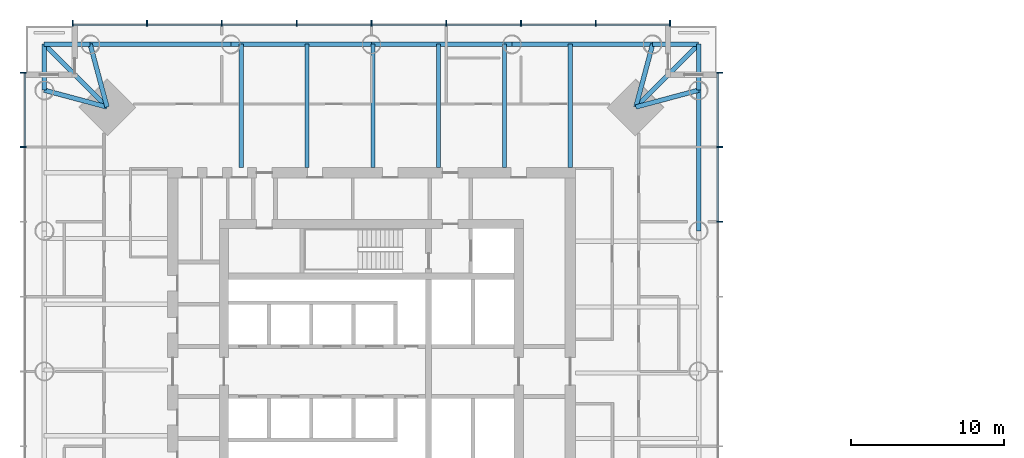
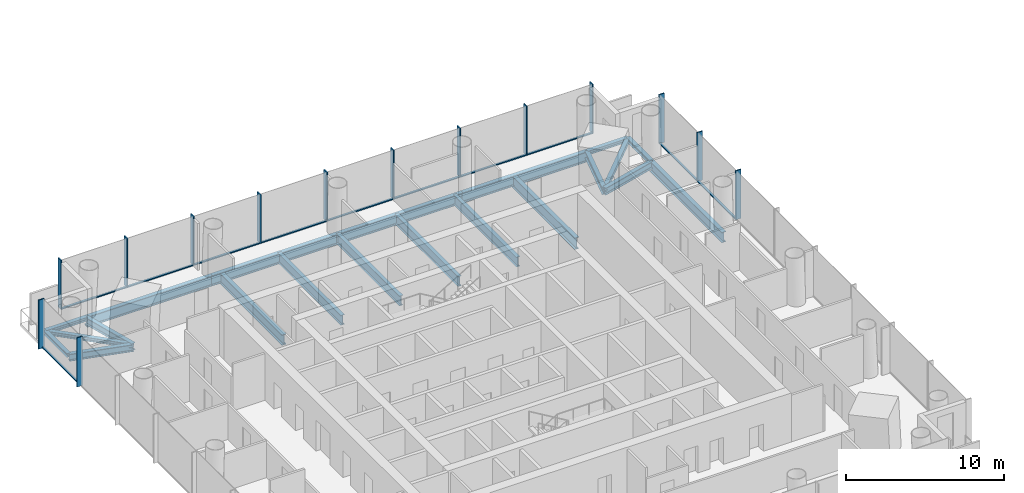
# One storey, part 3 of 18: 25 members, 21 beams, 3 elements without a shape of their own.
"""IFC4 building model written with IfcOpenShell, lengths in metres."""

from ifc_helpers import new_model, si_unit, direction, frame, origin, origin_2d, place, context, subcontext, project, spatial, rectangle, i_section, extrude, material, material_profile, profile_set, type_object, element, aggregate, save


model = new_model("IFC4")

# Units and contexts
model_context = context("Model", 3, precision=1e-05, world=origin(), true_north=direction((0.0, 1.0)))
body_context = subcontext(model_context, "Body", "Model", "MODEL_VIEW")
ifc_project = project(units=[si_unit("LENGTHUNIT", "METRE"), si_unit("AREAUNIT", "SQUARE_METRE"), si_unit("VOLUMEUNIT", "CUBIC_METRE"), si_unit("PLANEANGLEUNIT", "RADIAN"), si_unit("MASSUNIT", "GRAM", prefix="KILO")], contexts=[model_context])

# Site, building, storey
site_placement = place(None, origin())
site = spatial("IfcSite", under=ifc_project, at=site_placement, CompositionType="ELEMENT")
building_placement = place(site_placement, origin())
building = spatial("IfcBuilding", under=site, at=building_placement, Name="Ostroluk Exchange", CompositionType="ELEMENT")
storey_placement = place(building_placement, frame((0.0, 0.0, 104.60009765625)))
storey = spatial("IfcBuildingStorey", under=building, at=storey_placement, Name="L26", CompositionType="ELEMENT", Elevation=104.60009765625)

# Beams
ifc_material_1 = material(Name="Steel S355", Category="steel")
ifc_material_profile_1 = material_profile(ifc_material_1, i_section(OverallWidth=0.300048828125, OverallDepth=0.300048828125, WebThickness=0.010986328125, FlangeThickness=0.01904296875, FilletRadius=0.027099609375, at=origin_2d()), Name="HEB 300")
ifc_profile_set_1 = profile_set([ifc_material_profile_1], Name="Steel S355")
beam_type_1 = type_object("IfcBeamType", Name="Balcony beam HEB 300", PredefinedType="BEAM", material=ifc_profile_set_1)
for number, where, z_axis, x_axis, name in (
    (1, (66.32861328125, 64.32861328125, -0.330078125), (0.0, 1.0, 0.0), (-1.0, 0.0, 0.0), "T1 east balcony beam a"),
    (2, (63.32861328125, 67.32861328125, -0.330078125), (1.0, 0.0, 0.0), (0.0, 1.0, 0.0), "T1 east balcony beam b"),
):
    element("IfcBeam", number, at=place(storey_placement, frame(where, z_axis=z_axis, x_axis=x_axis)), inside=storey, type_object=beam_type_1, Name=name, PredefinedType="BEAM", context=body_context, shape_type="SweptSolid", body=[
        extrude(i_section(OverallWidth=0.300048828125, OverallDepth=0.300048828125, WebThickness=0.010986328125, FlangeThickness=0.01904296875, FilletRadius=0.027099609375, at=origin_2d()), origin(), (0.0, 0.0, 1.0), 3.0),
    ])
beam_1_placement = place(storey_placement, frame((62.228515625, 63.228515625, -0.330078125), z_axis=(0.707106781187, 0.707106781187, 0.0), x_axis=(-0.707106781187, 0.707106781187, 0.0)))
element("IfcBeam", 3, at=beam_1_placement, inside=storey, type_object=beam_type_1, Name="T1 east balcony beam c", PredefinedType="BEAM", context=body_context, shape_type="SweptSolid", body=[
    extrude(i_section(OverallWidth=0.300048828125, OverallDepth=0.300048828125, WebThickness=0.010986328125, FlangeThickness=0.01904296875, FilletRadius=0.027099609375, at=origin_2d()), origin(), (0.0, 0.0, 1.0), 5.79833984375),
])
for number, where, z_axis, x_axis, name in (
    (4, (26.67138671875, 67.32861328125, -0.330078125), (-1.0, 0.0, 0.0), (0.0, -1.0, 0.0), "T1 north balcony beam a"),
    (5, (23.67138671875, 64.32861328125, -0.330078125), (0.0, 1.0, 0.0), (-1.0, 0.0, 0.0), "T1 north balcony beam b"),
):
    element("IfcBeam", number, at=place(storey_placement, frame(where, z_axis=z_axis, x_axis=x_axis)), inside=storey, type_object=beam_type_1, Name=name, PredefinedType="BEAM", context=body_context, shape_type="SweptSolid", body=[
        extrude(i_section(OverallWidth=0.300048828125, OverallDepth=0.300048828125, WebThickness=0.010986328125, FlangeThickness=0.01904296875, FilletRadius=0.027099609375, at=origin_2d()), origin(), (0.0, 0.0, 1.0), 3.0),
    ])
beam_2_placement = place(storey_placement, frame((27.771484375, 63.228515625, -0.330078125), z_axis=(-0.707106781187, 0.707106781187, 0.0), x_axis=(-0.707106781187, -0.707106781187, 0.0)))
element("IfcBeam", 6, at=beam_2_placement, inside=storey, type_object=beam_type_1, Name="T1 north balcony beam c", PredefinedType="BEAM", context=body_context, shape_type="SweptSolid", body=[
    extrude(i_section(OverallWidth=0.300048828125, OverallDepth=0.300048828125, WebThickness=0.010986328125, FlangeThickness=0.01904296875, FilletRadius=0.027099609375, at=origin_2d()), origin(), (0.0, 0.0, 1.0), 5.79833984375),
])
ifc_material_2 = material(Name="Steel S355", Category="steel")
ifc_material_profile_2 = material_profile(ifc_material_2, i_section(OverallWidth=0.300048828125, OverallDepth=0.550048828125, WebThickness=0.014892578125, FlangeThickness=0.029052734375, FilletRadius=0.027099609375, at=origin_2d()), Name="HEB 550")
ifc_profile_set_2 = profile_set([ifc_material_profile_2], Name="Steel S355")
beam_type_2 = type_object("IfcBeamType", Name="Corner edge beam HEB 550", PredefinedType="SPANDREL", material=ifc_profile_set_2)
for number, where, z_axis, x_axis, name in (
    (7, (62.228515625, 63.228515625, -0.455078125), (0.965838624319, 0.259144268261, 0.0), (-0.259144268261, 0.965838624319, 0.0), "T1 east corner edge beam a"),
    (8, (62.228515625, 63.228515625, -0.455078125), (0.259144268261, 0.965838624319, 0.0), (-0.965838624319, 0.259144268261, 0.0), "T1 east corner edge beam b"),
    (9, (27.771484375, 63.228515625, -0.455078125), (-0.259144268261, 0.965838624319, 0.0), (-0.965838624319, -0.259144268261, 0.0), "T1 north corner edge beam a"),
    (10, (27.771484375, 63.228515625, -0.455078125), (-0.965838624319, 0.259144268261, 0.0), (-0.259144268261, -0.965838624319, 0.0), "T1 north corner edge beam b"),
):
    element("IfcBeam", number, at=place(storey_placement, frame(where, z_axis=z_axis, x_axis=x_axis)), inside=storey, type_object=beam_type_2, Name=name, PredefinedType="SPANDREL", context=body_context, shape_type="SweptSolid", body=[
        extrude(i_section(OverallWidth=0.300048828125, OverallDepth=0.550048828125, WebThickness=0.014892578125, FlangeThickness=0.029052734375, FilletRadius=0.027099609375, at=origin_2d()), origin(), (0.0, 0.0, 1.0), 4.2451171875),
    ])
ifc_material_3 = material(Name="Steel S355", Category="steel")
ifc_material_profile_3 = material_profile(ifc_material_3, i_section(OverallWidth=0.302978515625, OverallDepth=0.81396484375, WebThickness=0.02099609375, FlangeThickness=0.0400390625, FilletRadius=0.030029296875, at=origin_2d()), Name="HEM 800")
ifc_profile_set_3 = profile_set([ifc_material_profile_3], Name="Steel S355")
beam_type_3 = type_object("IfcBeamType", Name="Floor beam HEM 800", PredefinedType="BEAM", material=ifc_profile_set_3)
beam_3_placement = place(storey_placement, frame((36.52587890625, 59.300048828125, -0.587158203125), z_axis=(0.0, 1.0, 0.0), x_axis=(-1.0, 0.0, 0.0)))
element("IfcBeam", 11, at=beam_3_placement, inside=storey, type_object=beam_type_3, Name="T1 north floor beam 5", PredefinedType="BEAM", context=body_context, shape_type="SweptSolid", body=[
    extrude(i_section(OverallWidth=0.302978515625, OverallDepth=0.81396484375, WebThickness=0.02099609375, FlangeThickness=0.0400390625, FilletRadius=0.030029296875, at=origin_2d()), origin(), (0.0, 0.0, 1.0), 8.028564453125),
])
ifc_material_4 = material(Name="Steel S355", Category="steel")
ifc_material_profile_4 = material_profile(ifc_material_4, i_section(OverallWidth=0.26708984375, OverallDepth=0.761962890625, WebThickness=0.014404296875, FlangeThickness=0.021484375, FilletRadius=0.01708984375, at=origin_2d()), Name="IPE 750x173")
ifc_profile_set_4 = profile_set([ifc_material_profile_4], Name="Steel S355")
beam_type_4 = type_object("IfcBeamType", Name="Floor beam IPE 750x173", PredefinedType="BEAM", material=ifc_profile_set_4)
for number, where, z_axis, x_axis, name in (
    (12, (53.665283203125, 59.300048828125, -0.56103515625), (0.0, 1.0, 0.0), (-1.0, 0.0, 0.0), "T1 north floor beam 1"),
    (13, (49.38037109375, 59.300048828125, -0.56103515625), (0.0, 1.0, 0.0), (-1.0, 0.0, 0.0), "T1 north floor beam 2"),
    (14, (45.095458984375, 59.300048828125, -0.56103515625), (0.0, 1.0, 0.0), (-1.0, 0.0, 0.0), "T1 north floor beam 3"),
    (15, (40.810791015625, 59.300048828125, -0.56103515625), (0.0, 1.0, 0.0), (-1.0, 0.0, 0.0), "T1 north floor beam 4"),
):
    element("IfcBeam", number, at=place(storey_placement, frame(where, z_axis=z_axis, x_axis=x_axis)), inside=storey, type_object=beam_type_4, Name=name, PredefinedType="BEAM", context=body_context, shape_type="SweptSolid", body=[
        extrude(i_section(OverallWidth=0.26708984375, OverallDepth=0.761962890625, WebThickness=0.014404296875, FlangeThickness=0.021484375, FilletRadius=0.01708984375, at=origin_2d()), origin(), (0.0, 0.0, 1.0), 8.028564453125),
    ])
ifc_material_5 = material(Name="Steel S355", Category="steel")
ifc_material_profile_5 = material_profile(ifc_material_5, i_section(OverallWidth=0.300048828125, OverallDepth=0.89990234375, WebThickness=0.0185546875, FlangeThickness=0.034912109375, FilletRadius=0.030029296875, at=origin_2d()), Name="HEB 900")
ifc_profile_set_5 = profile_set([ifc_material_profile_5], Name="Steel S355")
beam_type_5 = type_object("IfcBeamType", Name="Girder HEB 900", PredefinedType="BEAM", material=ifc_profile_set_5)
beam_4_placement = place(storey_placement, frame((57.949951171875, 59.300048828125, -0.630126953125), z_axis=(0.0, 1.0, 0.0), x_axis=(-1.0, 0.0, 0.0)))
element("IfcBeam", 16, at=beam_4_placement, inside=storey, type_object=beam_type_5, Name="T1 east girder", PredefinedType="BEAM", context=body_context, shape_type="SweptSolid", body=[
    extrude(i_section(OverallWidth=0.300048828125, OverallDepth=0.89990234375, WebThickness=0.0185546875, FlangeThickness=0.034912109375, FilletRadius=0.030029296875, at=origin_2d()), origin(), (0.0, 0.0, 1.0), 8.028564453125),
])
ifc_material_6 = material(Name="Steel S355", Category="steel")
ifc_material_profile_6 = material_profile(ifc_material_6, i_section(OverallWidth=0.300048828125, OverallDepth=0.800048828125, WebThickness=0.017578125, FlangeThickness=0.032958984375, FilletRadius=0.030029296875, at=origin_2d()), Name="HEB 800")
ifc_profile_set_6 = profile_set([ifc_material_profile_6], Name="Steel S355")
beam_type_6 = type_object("IfcBeamType", Name="Moment-connected edge beam HEB 800", PredefinedType="SPANDREL", material=ifc_profile_set_6)
for number, where, z_axis, x_axis, name in (
    (17, (66.32861328125, 55.164306640625, -0.580078125), (0.0, 1.0, 0.0), (-1.0, 0.0, 0.0), "T1 east edge beam 4"),
    (18, (63.32861328125, 67.32861328125, -0.580078125), (-1.0, 0.0, 0.0), (0.0, -1.0, 0.0), "T1 north edge beam 1"),
    (19, (54.164306640625, 67.32861328125, -0.580078125), (-1.0, 0.0, 0.0), (0.0, -1.0, 0.0), "T1 north edge beam 2"),
    (20, (45.0, 67.32861328125, -0.580078125), (-1.0, 0.0, 0.0), (0.0, -1.0, 0.0), "T1 north edge beam 3"),
    (21, (35.835693359375, 67.32861328125, -0.580078125), (-1.0, 0.0, 0.0), (0.0, -1.0, 0.0), "T1 north edge beam 4"),
):
    element("IfcBeam", number, at=place(storey_placement, frame(where, z_axis=z_axis, x_axis=x_axis)), inside=storey, type_object=beam_type_6, Name=name, PredefinedType="SPANDREL", context=body_context, shape_type="SweptSolid", body=[
        extrude(i_section(OverallWidth=0.300048828125, OverallDepth=0.800048828125, WebThickness=0.017578125, FlangeThickness=0.032958984375, FilletRadius=0.030029296875, at=origin_2d()), origin(), (0.0, 0.0, 1.0), 9.164306640625),
    ])

# Curtain wall, members
ifc_material_7 = material(Name="Laminated clear glass", Category="glass")
curtain_wall_type = type_object("IfcCurtainWallType", Name="Office tower facade", PredefinedType="USERDEFINED", material=ifc_material_7)
curtain_wall_1_placement = place(storey_placement, origin())
curtain_wall_1 = element("IfcCurtainWall", 22, at=curtain_wall_1_placement, inside=storey, type_object=curtain_wall_type, Name="Office tower east facade L26", ObjectType="UNITISED CURTAIN WALL", PredefinedType="USERDEFINED")
ifc_material_8 = material(Name="Aluminium mullion", Category="aluminium")
ifc_material_profile_7 = material_profile(ifc_material_8, rectangle(XDim=0.14990234375, YDim=0.080078125, at=origin_2d()), Name="Sill transom 80 x 150")
ifc_profile_set_7 = profile_set([ifc_material_profile_7], Name="Aluminium mullion")
member_type_1 = type_object("IfcMemberType", Name="Sill transom 80 x 150", PredefinedType="USERDEFINED", material=ifc_profile_set_7)
member_1_placement = place(storey_placement, frame((67.574951171875, 55.7900390625, 0.039794921875), z_axis=(0.0, 1.0, 0.0), x_axis=(-1.0, 0.0, 0.0)))
member_1 = element("IfcMember", 23, at=member_1_placement, type_object=member_type_1, Name="CW-O1 transom 7.1", ObjectType="TRANSOM", PredefinedType="USERDEFINED", context=body_context, shape_type="SweptSolid", body=[
    extrude(rectangle(XDim=0.14990234375, YDim=0.080078125, at=origin_2d()), origin(), (0.0, 0.0, 1.0), 4.794921875),
])
member_2_placement = place(storey_placement, frame((67.574951171875, 60.6650390625, 0.039794921875), z_axis=(0.0, 1.0, 0.0), x_axis=(-1.0, 0.0, 0.0)))
member_2 = element("IfcMember", 24, at=member_2_placement, type_object=member_type_1, Name="CW-O1 transom 8.1", ObjectType="TRANSOM", PredefinedType="USERDEFINED", context=body_context, shape_type="SweptSolid", body=[
    extrude(rectangle(XDim=0.14990234375, YDim=0.080078125, at=origin_2d()), origin(), (0.0, 0.0, 1.0), 4.7548828125),
])

curtain_wall_2_placement = place(storey_placement, origin())
curtain_wall_2 = element("IfcCurtainWall", 25, at=curtain_wall_2_placement, inside=storey, type_object=curtain_wall_type, Name="Office tower north facade L26", ObjectType="UNITISED CURTAIN WALL", PredefinedType="USERDEFINED")
member_3_placement = place(storey_placement, frame((64.419921875, 68.574951171875, 0.039794921875), z_axis=(-1.0, 0.0, 0.0), x_axis=(0.0, -1.0, 0.0)))
member_3 = element("IfcMember", 26, at=member_3_placement, type_object=member_type_1, Name="CW-O1 transom 1.1", ObjectType="TRANSOM", PredefinedType="USERDEFINED", context=body_context, shape_type="SweptSolid", body=[
    extrude(rectangle(XDim=0.14990234375, YDim=0.080078125, at=origin_2d()), origin(), (0.0, 0.0, 1.0), 4.7548828125),
])
member_4_placement = place(storey_placement, frame((59.5849609375, 68.574951171875, 0.039794921875), z_axis=(-1.0, 0.0, 0.0), x_axis=(0.0, -1.0, 0.0)))
member_4 = element("IfcMember", 27, at=member_4_placement, type_object=member_type_1, Name="CW-O1 transom 2.1", ObjectType="TRANSOM", PredefinedType="USERDEFINED", context=body_context, shape_type="SweptSolid", body=[
    extrude(rectangle(XDim=0.14990234375, YDim=0.080078125, at=origin_2d()), origin(), (0.0, 0.0, 1.0), 4.794921875),
])
member_5_placement = place(storey_placement, frame((54.7099609375, 68.574951171875, 0.039794921875), z_axis=(-1.0, 0.0, 0.0), x_axis=(0.0, -1.0, 0.0)))
member_5 = element("IfcMember", 28, at=member_5_placement, type_object=member_type_1, Name="CW-O1 transom 3.1", ObjectType="TRANSOM", PredefinedType="USERDEFINED", context=body_context, shape_type="SweptSolid", body=[
    extrude(rectangle(XDim=0.14990234375, YDim=0.080078125, at=origin_2d()), origin(), (0.0, 0.0, 1.0), 4.794921875),
])
member_6_placement = place(storey_placement, frame((49.8349609375, 68.574951171875, 0.039794921875), z_axis=(-1.0, 0.0, 0.0), x_axis=(0.0, -1.0, 0.0)))
member_6 = element("IfcMember", 29, at=member_6_placement, type_object=member_type_1, Name="CW-O1 transom 4.1", ObjectType="TRANSOM", PredefinedType="USERDEFINED", context=body_context, shape_type="SweptSolid", body=[
    extrude(rectangle(XDim=0.14990234375, YDim=0.080078125, at=origin_2d()), origin(), (0.0, 0.0, 1.0), 4.794921875),
])
member_7_placement = place(storey_placement, frame((44.9599609375, 68.574951171875, 0.039794921875), z_axis=(-1.0, 0.0, 0.0), x_axis=(0.0, -1.0, 0.0)))
member_7 = element("IfcMember", 30, at=member_7_placement, type_object=member_type_1, Name="CW-O1 transom 5.1", ObjectType="TRANSOM", PredefinedType="USERDEFINED", context=body_context, shape_type="SweptSolid", body=[
    extrude(rectangle(XDim=0.14990234375, YDim=0.080078125, at=origin_2d()), origin(), (0.0, 0.0, 1.0), 4.794921875),
])
member_8_placement = place(storey_placement, frame((40.0849609375, 68.574951171875, 0.039794921875), z_axis=(-1.0, 0.0, 0.0), x_axis=(0.0, -1.0, 0.0)))
member_8 = element("IfcMember", 31, at=member_8_placement, type_object=member_type_1, Name="CW-O1 transom 6.1", ObjectType="TRANSOM", PredefinedType="USERDEFINED", context=body_context, shape_type="SweptSolid", body=[
    extrude(rectangle(XDim=0.14990234375, YDim=0.080078125, at=origin_2d()), origin(), (0.0, 0.0, 1.0), 4.794921875),
])
member_9_placement = place(storey_placement, frame((35.2099609375, 68.574951171875, 0.039794921875), z_axis=(-1.0, 0.0, 0.0), x_axis=(0.0, -1.0, 0.0)))
member_9 = element("IfcMember", 32, at=member_9_placement, type_object=member_type_1, Name="CW-O1 transom 7.1", ObjectType="TRANSOM", PredefinedType="USERDEFINED", context=body_context, shape_type="SweptSolid", body=[
    extrude(rectangle(XDim=0.14990234375, YDim=0.080078125, at=origin_2d()), origin(), (0.0, 0.0, 1.0), 4.794921875),
])
member_10_placement = place(storey_placement, frame((30.3349609375, 68.574951171875, 0.039794921875), z_axis=(-1.0, 0.0, 0.0), x_axis=(0.0, -1.0, 0.0)))
member_10 = element("IfcMember", 33, at=member_10_placement, type_object=member_type_1, Name="CW-O1 transom 8.1", ObjectType="TRANSOM", PredefinedType="USERDEFINED", context=body_context, shape_type="SweptSolid", body=[
    extrude(rectangle(XDim=0.14990234375, YDim=0.080078125, at=origin_2d()), origin(), (0.0, 0.0, 1.0), 4.7548828125),
])

# Curtain wall, member
curtain_wall_3_placement = place(storey_placement, origin())
curtain_wall_3 = element("IfcCurtainWall", 34, at=curtain_wall_3_placement, inside=storey, type_object=curtain_wall_type, Name="Office tower west facade L26", ObjectType="UNITISED CURTAIN WALL", PredefinedType="USERDEFINED")
member_11_placement = place(storey_placement, frame((22.425048828125, 65.419921875, 0.039794921875), z_axis=(0.0, -1.0, 0.0), x_axis=(1.0, 0.0, 0.0)))
member_11 = element("IfcMember", 35, at=member_11_placement, type_object=member_type_1, Name="CW-O1 transom 1.1", ObjectType="TRANSOM", PredefinedType="USERDEFINED", context=body_context, shape_type="SweptSolid", body=[
    extrude(rectangle(XDim=0.14990234375, YDim=0.080078125, at=origin_2d()), origin(), (0.0, 0.0, 1.0), 4.7548828125),
])

# Member
ifc_material_9 = material(Name="Aluminium mullion with limestone facing", Category="masonry")
ifc_material_profile_8 = material_profile(ifc_material_9, rectangle(XDim=0.39990234375, YDim=0.080078125, at=origin_2d()), Name="Tracery mullion 80 x 400")
ifc_profile_set_8 = profile_set([ifc_material_profile_8], Name="Aluminium mullion with limestone facing")
member_type_2 = type_object("IfcMemberType", Name="Tracery mullion 80 x 400", PredefinedType="MULLION", material=ifc_profile_set_8)
member_12_placement = place(storey_placement, frame((67.699951171875, 55.75, 0.0), z_axis=(0.0, 0.0, 1.0), x_axis=(-1.0, 0.0, 0.0)))
member_12 = element("IfcMember", 36, at=member_12_placement, type_object=member_type_2, Name="CW-O1 mullion 7", PredefinedType="MULLION", context=body_context, shape_type="SweptSolid", body=[
    extrude(rectangle(XDim=0.39990234375, YDim=0.080078125, at=origin_2d()), origin(), (0.0, 0.0, 1.0), 3.7998046875),
])

member_13_placement = place(storey_placement, frame((67.699951171875, 60.625, 0.0), z_axis=(0.0, 0.0, 1.0), x_axis=(-1.0, 0.0, 0.0)))
member_13 = element("IfcMember", 37, at=member_13_placement, type_object=member_type_2, Name="CW-O1 mullion 8", PredefinedType="MULLION", context=body_context, shape_type="SweptSolid", body=[
    extrude(rectangle(XDim=0.39990234375, YDim=0.080078125, at=origin_2d()), origin(), (0.0, 0.0, 1.0), 3.7998046875),
])

member_14_placement = place(storey_placement, frame((67.699951171875, 65.4599609375, 0.0), z_axis=(0.0, 0.0, 1.0), x_axis=(-1.0, 0.0, 0.0)))
member_14 = element("IfcMember", 38, at=member_14_placement, type_object=member_type_2, Name="CW-O1 mullion 9", PredefinedType="MULLION", context=body_context, shape_type="SweptSolid", body=[
    extrude(rectangle(XDim=0.39990234375, YDim=0.080078125, at=origin_2d()), origin(), (0.0, 0.0, 1.0), 3.7998046875),
])

aggregate(curtain_wall_1, [member_12, member_13, member_14, member_1, member_2])

member_15_placement = place(storey_placement, frame((64.4599609375, 68.699951171875, 0.0), z_axis=(0.0, 0.0, 1.0), x_axis=(0.0, -1.0, 0.0)))
member_15 = element("IfcMember", 39, at=member_15_placement, type_object=member_type_2, Name="CW-O1 mullion 1", PredefinedType="MULLION", context=body_context, shape_type="SweptSolid", body=[
    extrude(rectangle(XDim=0.39990234375, YDim=0.080078125, at=origin_2d()), origin(), (0.0, 0.0, 1.0), 3.7998046875),
])

member_16_placement = place(storey_placement, frame((59.625, 68.699951171875, 0.0), z_axis=(0.0, 0.0, 1.0), x_axis=(0.0, -1.0, 0.0)))
member_16 = element("IfcMember", 40, at=member_16_placement, type_object=member_type_2, Name="CW-O1 mullion 2", PredefinedType="MULLION", context=body_context, shape_type="SweptSolid", body=[
    extrude(rectangle(XDim=0.39990234375, YDim=0.080078125, at=origin_2d()), origin(), (0.0, 0.0, 1.0), 3.7998046875),
])

member_17_placement = place(storey_placement, frame((54.75, 68.699951171875, 0.0), z_axis=(0.0, 0.0, 1.0), x_axis=(0.0, -1.0, 0.0)))
member_17 = element("IfcMember", 41, at=member_17_placement, type_object=member_type_2, Name="CW-O1 mullion 3", PredefinedType="MULLION", context=body_context, shape_type="SweptSolid", body=[
    extrude(rectangle(XDim=0.39990234375, YDim=0.080078125, at=origin_2d()), origin(), (0.0, 0.0, 1.0), 3.7998046875),
])

member_18_placement = place(storey_placement, frame((49.875, 68.699951171875, 0.0), z_axis=(0.0, 0.0, 1.0), x_axis=(0.0, -1.0, 0.0)))
member_18 = element("IfcMember", 42, at=member_18_placement, type_object=member_type_2, Name="CW-O1 mullion 4", PredefinedType="MULLION", context=body_context, shape_type="SweptSolid", body=[
    extrude(rectangle(XDim=0.39990234375, YDim=0.080078125, at=origin_2d()), origin(), (0.0, 0.0, 1.0), 3.7998046875),
])

member_19_placement = place(storey_placement, frame((45.0, 68.699951171875, 0.0), z_axis=(0.0, 0.0, 1.0), x_axis=(0.0, -1.0, 0.0)))
member_19 = element("IfcMember", 43, at=member_19_placement, type_object=member_type_2, Name="CW-O1 mullion 5", PredefinedType="MULLION", context=body_context, shape_type="SweptSolid", body=[
    extrude(rectangle(XDim=0.39990234375, YDim=0.080078125, at=origin_2d()), origin(), (0.0, 0.0, 1.0), 3.7998046875),
])

member_20_placement = place(storey_placement, frame((40.125, 68.699951171875, 0.0), z_axis=(0.0, 0.0, 1.0), x_axis=(0.0, -1.0, 0.0)))
member_20 = element("IfcMember", 44, at=member_20_placement, type_object=member_type_2, Name="CW-O1 mullion 6", PredefinedType="MULLION", context=body_context, shape_type="SweptSolid", body=[
    extrude(rectangle(XDim=0.39990234375, YDim=0.080078125, at=origin_2d()), origin(), (0.0, 0.0, 1.0), 3.7998046875),
])

member_21_placement = place(storey_placement, frame((35.25, 68.699951171875, 0.0), z_axis=(0.0, 0.0, 1.0), x_axis=(0.0, -1.0, 0.0)))
member_21 = element("IfcMember", 45, at=member_21_placement, type_object=member_type_2, Name="CW-O1 mullion 7", PredefinedType="MULLION", context=body_context, shape_type="SweptSolid", body=[
    extrude(rectangle(XDim=0.39990234375, YDim=0.080078125, at=origin_2d()), origin(), (0.0, 0.0, 1.0), 3.7998046875),
])

member_22_placement = place(storey_placement, frame((30.375, 68.699951171875, 0.0), z_axis=(0.0, 0.0, 1.0), x_axis=(0.0, -1.0, 0.0)))
member_22 = element("IfcMember", 46, at=member_22_placement, type_object=member_type_2, Name="CW-O1 mullion 8", PredefinedType="MULLION", context=body_context, shape_type="SweptSolid", body=[
    extrude(rectangle(XDim=0.39990234375, YDim=0.080078125, at=origin_2d()), origin(), (0.0, 0.0, 1.0), 3.7998046875),
])

member_23_placement = place(storey_placement, frame((25.5400390625, 68.699951171875, 0.0), z_axis=(0.0, 0.0, 1.0), x_axis=(0.0, -1.0, 0.0)))
member_23 = element("IfcMember", 47, at=member_23_placement, type_object=member_type_2, Name="CW-O1 mullion 9", PredefinedType="MULLION", context=body_context, shape_type="SweptSolid", body=[
    extrude(rectangle(XDim=0.39990234375, YDim=0.080078125, at=origin_2d()), origin(), (0.0, 0.0, 1.0), 3.7998046875),
])

aggregate(curtain_wall_2, [member_15, member_16, member_17, member_18, member_19, member_20, member_21, member_22, member_23, member_3, member_4, member_5, member_6, member_7, member_8, member_9, member_10])

member_24_placement = place(storey_placement, frame((22.300048828125, 65.4599609375, 0.0), z_axis=(0.0, 0.0, 1.0), x_axis=(1.0, 0.0, 0.0)))
member_24 = element("IfcMember", 48, at=member_24_placement, type_object=member_type_2, Name="CW-O1 mullion 1", PredefinedType="MULLION", context=body_context, shape_type="SweptSolid", body=[
    extrude(rectangle(XDim=0.39990234375, YDim=0.080078125, at=origin_2d()), origin(), (0.0, 0.0, 1.0), 3.7998046875),
])

member_25_placement = place(storey_placement, frame((22.300048828125, 60.625, 0.0), z_axis=(0.0, 0.0, 1.0), x_axis=(1.0, 0.0, 0.0)))
member_25 = element("IfcMember", 49, at=member_25_placement, type_object=member_type_2, Name="CW-O1 mullion 2", PredefinedType="MULLION", context=body_context, shape_type="SweptSolid", body=[
    extrude(rectangle(XDim=0.39990234375, YDim=0.080078125, at=origin_2d()), origin(), (0.0, 0.0, 1.0), 3.7998046875),
])

aggregate(curtain_wall_3, [member_24, member_25, member_11])

save(model, "model.ifc")
